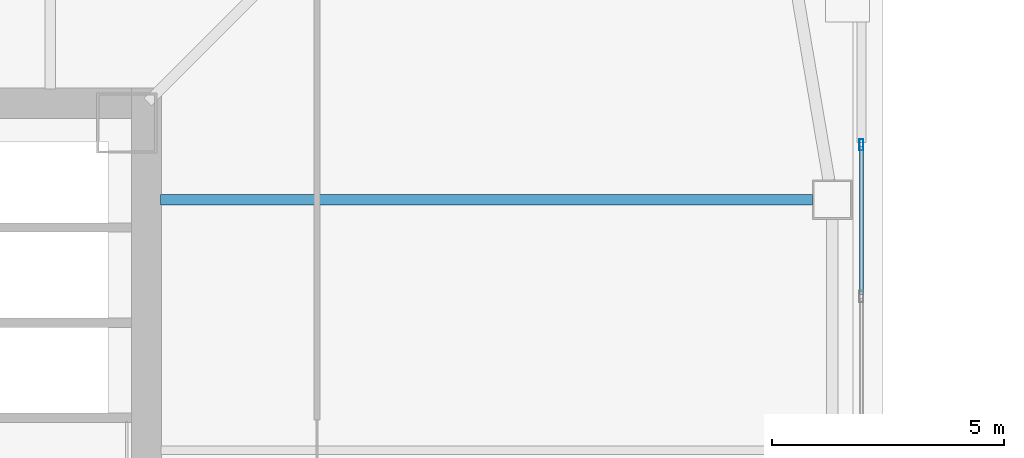
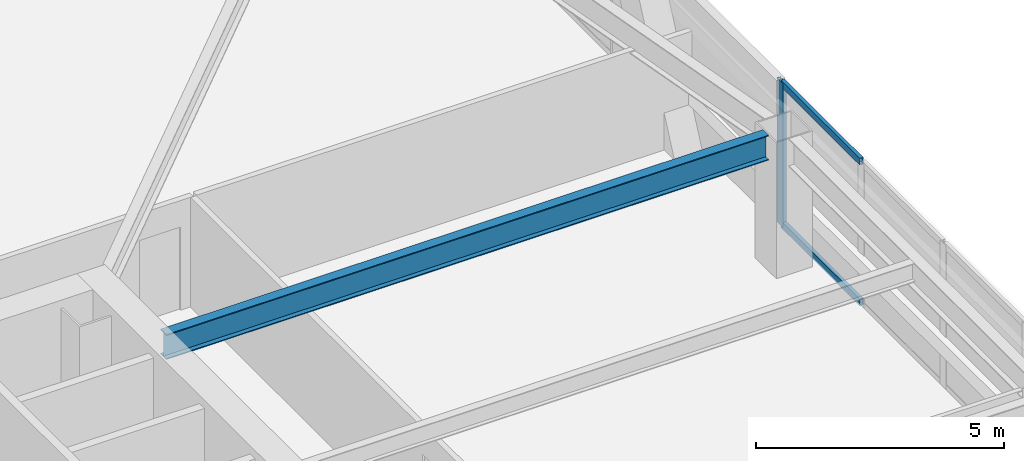
# One storey, part 25 of 75: 3 members, 1 beam, 1 element without a shape of its own.
"""IFC4 building model written with IfcOpenShell, lengths in metres."""

from ifc_helpers import new_model, si_unit, direction, frame, origin, origin_2d, place, context, subcontext, project, spatial, hollow_rectangle, i_section, extrude, material, material_profile, profile_set, type_object, element, aggregate, save


model = new_model("IFC4")

# Units and contexts
model_context = context("Model", 3, precision=1e-05, world=origin(), true_north=direction((0.0, 1.0)))
body_context = subcontext(model_context, "Body", "Model", "MODEL_VIEW")
ifc_project = project(units=[si_unit("LENGTHUNIT", "METRE"), si_unit("AREAUNIT", "SQUARE_METRE"), si_unit("VOLUMEUNIT", "CUBIC_METRE"), si_unit("PLANEANGLEUNIT", "RADIAN"), si_unit("MASSUNIT", "GRAM", prefix="KILO")], contexts=[model_context])

# Site, building, storey
site_placement = place(None, origin())
site = spatial("IfcSite", under=ifc_project, at=site_placement, CompositionType="ELEMENT")
building_placement = place(site_placement, origin())
building = spatial("IfcBuilding", under=site, at=building_placement, Name="Tashvorn Skyway Center", CompositionType="ELEMENT")
storey_placement = place(building_placement, frame((0.0, 0.0, 45.89990234375)))
storey = spatial("IfcBuildingStorey", under=building, at=storey_placement, Name="L11", CompositionType="ELEMENT", Elevation=45.89990234375)

# Beam
ifc_material_1 = material(Name="Steel ASTM A992 Grade 50", Category="steel")
ifc_material_profile_1 = material_profile(ifc_material_1, i_section(OverallWidth=0.22998046875, OverallDepth=0.616943359375, WebThickness=0.01318359375, FlangeThickness=0.022216796875, at=origin_2d()), Name="W24X94")
ifc_profile_set_1 = profile_set([ifc_material_profile_1], Name="Steel ASTM A992 Grade 50")
beam_type = type_object("IfcBeamType", Name="BM-BEAM-W24X94", PredefinedType="BEAM", material=ifc_profile_set_1)
beam_placement = place(storey_placement, frame((63.830078125, 37.39990234375, 3.04150390625), z_axis=(-1.0, 0.0, 0.0), x_axis=(0.0, -1.0, 0.0)))
element("IfcBeam", 1, at=beam_placement, inside=storey, type_object=beam_type, Name="Tower 1 L11 Primary Floor Girder FC-E2", PredefinedType="BEAM", context=body_context, shape_type="SweptSolid", body=[
    extrude(i_section(OverallWidth=0.22998046875, OverallDepth=0.616943359375, WebThickness=0.01318359375, FlangeThickness=0.022216796875, at=origin_2d()), origin(), (0.0, 0.0, 1.0), 14.050048828125),
])

# Curtain wall, members
ifc_material_2 = material(Name="Thermally broken bronze-anodized aluminium 6063-T6", Category="aluminium")
curtain_wall_type = type_object("IfcCurtainWallType", Name="CW-CW-Z1", PredefinedType="NOTDEFINED", material=ifc_material_2)
curtain_wall_placement = place(storey_placement, origin())
curtain_wall = element("IfcCurtainWall", 2, at=curtain_wall_placement, inside=storey, type_object=curtain_wall_type, Name="Tower 1 L11 East Unitised Curtain Wall Glazing Group 2", PredefinedType="NOTDEFINED")
ifc_material_profile_2 = material_profile(ifc_material_2, hollow_rectangle(XDim=0.0849609375, YDim=0.239990234375, WallThickness=0.0048828125, at=origin_2d()), Name="ALU-MULL-85x240")
ifc_profile_set_2 = profile_set([ifc_material_profile_2], Name="Thermally broken bronze-anodized aluminium 6063-T6")
member_type_1 = type_object("IfcMemberType", Name="CWM-CW-Z1", PredefinedType="MULLION", material=ifc_profile_set_2)
member_1_placement = place(storey_placement, frame((64.8798828125, 38.584228515625, 0.0), z_axis=(0.0, 0.0, 1.0), x_axis=(1.0, 0.0, 0.0)))
member_1 = element("IfcMember", 3, at=member_1_placement, type_object=member_type_1, Name="CW-Z1 mullion 1", PredefinedType="MULLION", context=body_context, shape_type="SweptSolid", body=[
    extrude(hollow_rectangle(XDim=0.0849609375, YDim=0.239990234375, WallThickness=0.0048828125, at=origin_2d()), origin(), (0.0, 0.0, 1.0), 3.550048828125),
])
ifc_material_profile_3 = material_profile(ifc_material_2, hollow_rectangle(XDim=0.0849609375, YDim=0.1650390625, WallThickness=0.0048828125, at=origin_2d()), Name="ALU-TRAN-85x165")
ifc_profile_set_3 = profile_set([ifc_material_profile_3], Name="Thermally broken bronze-anodized aluminium 6063-T6")
member_type_2 = type_object("IfcMemberType", Name="CWT-CW-Z1", PredefinedType="USERDEFINED", material=ifc_profile_set_3)
member_2_placement = place(storey_placement, frame((64.8798828125, 38.541748046875, 0.04248046875), z_axis=(0.0, -1.0, 0.0), x_axis=(1.0, 0.0, 0.0)))
member_2 = element("IfcMember", 4, at=member_2_placement, type_object=member_type_2, Name="CW-Z1 transom 1.1", ObjectType="TRANSOM", PredefinedType="USERDEFINED", context=body_context, shape_type="SweptSolid", body=[
    extrude(hollow_rectangle(XDim=0.0849609375, YDim=0.1650390625, WallThickness=0.0048828125, at=origin_2d()), origin(), (0.0, 0.0, 1.0), 3.185791015625),
])
member_3_placement = place(storey_placement, frame((64.8798828125, 38.541748046875, 3.507568359375), z_axis=(0.0, -1.0, 0.0), x_axis=(1.0, 0.0, 0.0)))
member_3 = element("IfcMember", 5, at=member_3_placement, type_object=member_type_2, Name="CW-Z1 transom 1.2", ObjectType="TRANSOM", PredefinedType="USERDEFINED", context=body_context, shape_type="SweptSolid", body=[
    extrude(hollow_rectangle(XDim=0.0849609375, YDim=0.1650390625, WallThickness=0.0048828125, at=origin_2d()), origin(), (0.0, 0.0, 1.0), 3.185791015625),
])
aggregate(curtain_wall, [member_1, member_2, member_3])

save(model, "model.ifc")
